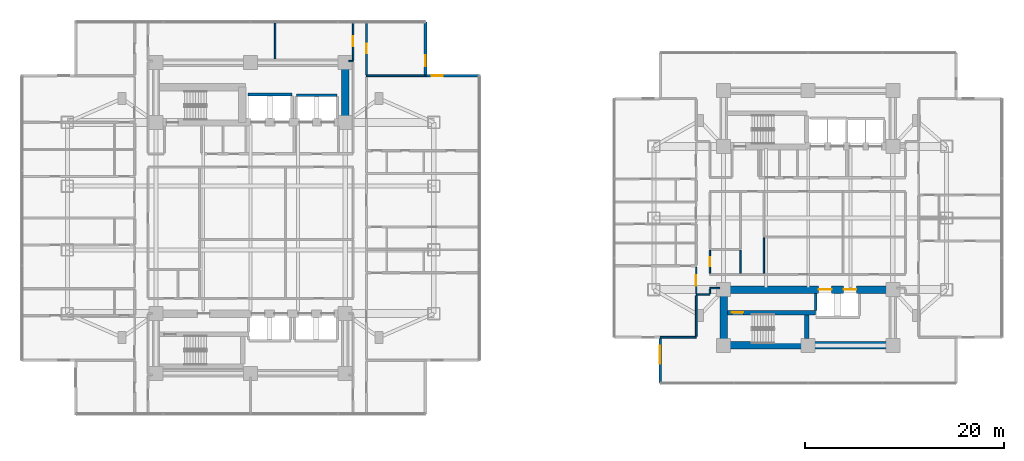
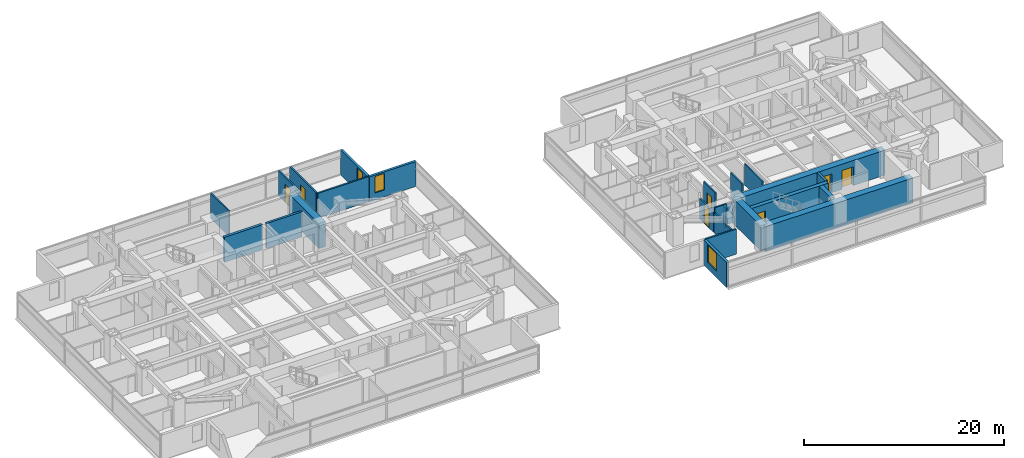
# One storey, part 18 of 26: 26 walls, 7 doors, 3 windows, 10 openings.
"""IFC4 building model written with IfcOpenShell, lengths in metres."""

from ifc_helpers import new_model, si_unit, direction, frame, frame_2d, origin, place, context, subcontext, project, spatial, rectangle, extrude, material, layer, layer_set, type_object, element, fill, save


model = new_model("IFC4")

# Units and contexts
model_context = context("Model", 3, precision=1e-05, world=origin(), true_north=direction((0.0, 1.0)))
body_context = subcontext(model_context, "Body", "Model", "MODEL_VIEW")
ifc_project = project(units=[si_unit("LENGTHUNIT", "METRE"), si_unit("AREAUNIT", "SQUARE_METRE"), si_unit("VOLUMEUNIT", "CUBIC_METRE"), si_unit("PLANEANGLEUNIT", "RADIAN"), si_unit("MASSUNIT", "GRAM", prefix="KILO")], contexts=[model_context])

# Site, building, storey
site_placement = place(None, origin())
site = spatial("IfcSite", under=ifc_project, at=site_placement, CompositionType="ELEMENT")
building_placement = place(site_placement, origin())
building = spatial("IfcBuilding", under=site, at=building_placement, Name="Mirazonda Arch Towers", CompositionType="ELEMENT")
storey_placement = place(building_placement, frame((0.0, 0.0, 45.5)))
storey = spatial("IfcBuildingStorey", under=building, at=storey_placement, Name="L12", CompositionType="ELEMENT", Elevation=45.5)

# Wall, opening, door
ifc_material_1 = material(Name="Concrete C50/60", Category="concrete")
ifc_layer_1 = layer(ifc_material_1, 0.449951171875, Name="WALL-CORE-450")
ifc_layer_set_1 = layer_set([ifc_layer_1], Name="Concrete C50/60")
wall_type_1 = type_object("IfcWallType", Name="WALL-CORE-450", PredefinedType="SHEAR", material=ifc_layer_set_1)
wall_1_placement = place(storey_placement, frame((68.3701171875, 18.5, 0.0), z_axis=(0.0, 0.0, 1.0), x_axis=(1.0, 0.0, 0.0)))
wall_1 = element("IfcWall", 1, at=wall_1_placement, inside=storey, type_object=wall_type_1, Name="L12 Stair Core Shear Wall 015", PredefinedType="SHEAR", context=body_context, shape_type="SweptSolid", body=[
    extrude(rectangle(XDim=8.849853515625, YDim=0.449951171875, at=frame_2d((4.4248046875, 0.0))), origin(), (0.0, 0.0, 1.0), 3.06005859375),
])
opening_1_placement = place(wall_1_placement, frame((0.469970703125, 0.0, 0.0)))
opening_1 = element("IfcOpeningElement", 2, at=opening_1_placement, cuts=wall_1, Name="Opening DR-135", PredefinedType="OPENING", context=body_context, shape_type="SweptSolid", body=[
    extrude(rectangle(XDim=1.14990234375, YDim=2.199951171875, at=frame_2d((0.574951171875, 1.10009765625))), frame((0.0, 0.23486328125, 0.0), z_axis=(0.0, -1.0, 0.0), x_axis=(1.0, 0.0, 0.0)), (0.0, 0.0, 1.0), 0.469970703125),
])
ifc_material_2 = material(Name="Architectural Brushed Steel S355", Category="steel")
door_type_1 = type_object("IfcDoorType", Name="DOOR-STAIR-FD90-1150", OperationType="NOTDEFINED", PredefinedType="DOOR", material=ifc_material_2)
door_1_placement = place(opening_1_placement, origin())
door_1 = element("IfcDoor", 3, at=door_1_placement, inside=storey, type_object=door_type_1, Name="L12 East Protected Stair South Door", OperationType="SINGLE_SWING_RIGHT", OverallHeight=2.199951171875, OverallWidth=1.14990234375, PredefinedType="DOOR", context=body_context, shape_type="SweptSolid", body=[
    extrude(rectangle(XDim=1.14990234375, YDim=2.199951171875, at=frame_2d((0.574951171875, 1.10009765625))), frame((0.0, 0.02490234375, 0.0), z_axis=(0.0, -1.0, 0.0), x_axis=(1.0, 0.0, 0.0)), (0.0, 0.0, 1.0), 0.050048828125),
])
fill(opening_1, door_1)

# Walls
wall_2_placement = place(storey_placement, frame((76.360107421875, 15.9150390625, 0.0), z_axis=(0.0, 0.0, 1.0), x_axis=(0.0, 1.0, 0.0)))
element("IfcWall", 4, at=wall_2_placement, inside=storey, type_object=wall_type_1, Name="L12 Stair Core Shear Wall 151", PredefinedType="SHEAR", context=body_context, shape_type="SweptSolid", body=[
    extrude(rectangle(XDim=2.349853515625, YDim=0.449951171875, at=frame_2d((1.1748046875, 0.0))), origin(), (0.0, 0.0, 1.0), 3.06005859375),
])
ifc_material_3 = material(Name="Concrete C60/75", Category="concrete")
ifc_layer_2 = layer(ifc_material_3, 0.75, Name="WALL-CORE-750")
ifc_layer_set_2 = layer_set([ifc_layer_2], Name="Concrete C60/75")
wall_type_2 = type_object("IfcWallType", Name="WALL-CORE-750", PredefinedType="SHEAR", material=ifc_layer_set_2)
wall_3_placement = place(storey_placement, frame((30.0, 37.60009765625, 0.0), z_axis=(0.0, 0.0, 1.0), x_axis=(0.0, 1.0, 0.0)))
element("IfcWall", 5, at=wall_3_placement, inside=storey, type_object=wall_type_2, Name="L12 T1N-E Core Shear Wall", PredefinedType="SHEAR", context=body_context, shape_type="SweptSolid", body=[
    extrude(rectangle(XDim=6.0, YDim=0.75, at=frame_2d((3.0, 0.0))), origin(), (0.0, 0.0, 1.0), 3.06005859375),
])
wall_4_placement = place(storey_placement, frame((68.0, 15.199951171875, 0.0), z_axis=(0.0, 0.0, 1.0), x_axis=(1.0, 0.0, 0.0)))
element("IfcWall", 6, at=wall_4_placement, inside=storey, type_object=wall_type_2, Name="L12 T2S-S Core Shear Wall", PredefinedType="SHEAR", context=body_context, shape_type="SweptSolid", body=[
    extrude(rectangle(XDim=17.0, YDim=0.75, at=frame_2d((8.5, 0.0))), origin(), (0.0, 0.0, 1.0), 3.06005859375),
])
wall_5_placement = place(storey_placement, frame((68.0, 15.199951171875, 0.0), z_axis=(0.0, 0.0, 1.0), x_axis=(0.0, 1.0, 0.0)))
element("IfcWall", 7, at=wall_5_placement, inside=storey, type_object=wall_type_2, Name="L12 T2S-W Core Shear Wall", PredefinedType="SHEAR", context=body_context, shape_type="SweptSolid", body=[
    extrude(rectangle(XDim=5.60009765625, YDim=0.75, at=frame_2d((2.800048828125, 0.0))), origin(), (0.0, 0.0, 1.0), 3.06005859375),
])

# Wall, openings, doors
wall_6_placement = place(storey_placement, frame((68.0, 20.800048828125, 0.0), z_axis=(0.0, 0.0, 1.0), x_axis=(1.0, 0.0, 0.0)))
wall_6 = element("IfcWall", 8, at=wall_6_placement, inside=storey, type_object=wall_type_2, Name="L12 T2S-N Core Shear Wall", PredefinedType="SHEAR", context=body_context, shape_type="SweptSolid", body=[
    extrude(rectangle(XDim=17.0, YDim=0.75, at=frame_2d((8.5, 0.0))), origin(), (0.0, 0.0, 1.0), 3.06005859375),
])
opening_2_placement = place(wall_6_placement, frame((9.550048828125, 0.0, 0.0)))
opening_2 = element("IfcOpeningElement", 9, at=opening_2_placement, cuts=wall_6, Name="Opening LD-111", PredefinedType="OPENING", context=body_context, shape_type="SweptSolid", body=[
    extrude(rectangle(XDim=1.300048828125, YDim=2.300048828125, at=frame_2d((0.64990234375, 1.14990234375))), frame((0.0, 0.385009765625, 0.0), z_axis=(0.0, -1.0, 0.0), x_axis=(1.0, 0.0, 0.0)), (0.0, 0.0, 1.0), 0.77001953125),
])
opening_3_placement = place(wall_6_placement, frame((12.050048828125, 0.0, 0.0)))
opening_3 = element("IfcOpeningElement", 10, at=opening_3_placement, cuts=wall_6, Name="Opening LD-111", PredefinedType="OPENING", context=body_context, shape_type="SweptSolid", body=[
    extrude(rectangle(XDim=1.300048828125, YDim=2.300048828125, at=frame_2d((0.64990234375, 1.14990234375))), frame((0.0, 0.385009765625, 0.0), z_axis=(0.0, -1.0, 0.0), x_axis=(1.0, 0.0, 0.0)), (0.0, 0.0, 1.0), 0.77001953125),
])
door_type_2 = type_object("IfcDoorType", Name="DOOR-LIFT-LAND-1300", OperationType="NOTDEFINED", PredefinedType="DOOR", material=ifc_material_2)
door_2_placement = place(opening_2_placement, origin())
door_2 = element("IfcDoor", 11, at=door_2_placement, inside=storey, type_object=door_type_2, Name="L12 Lift Landing Sliding Door PL-T2H1", OperationType="DOUBLE_DOOR_SLIDING", OverallHeight=2.300048828125, OverallWidth=1.300048828125, PredefinedType="DOOR", context=body_context, shape_type="SweptSolid", body=[
    extrude(rectangle(XDim=1.300048828125, YDim=2.300048828125, at=frame_2d((0.64990234375, 1.14990234375))), frame((0.0, 0.02490234375, 0.0), z_axis=(0.0, -1.0, 0.0), x_axis=(1.0, 0.0, 0.0)), (0.0, 0.0, 1.0), 0.050048828125),
])
fill(opening_2, door_2)
door_3_placement = place(opening_3_placement, origin())
door_3 = element("IfcDoor", 12, at=door_3_placement, inside=storey, type_object=door_type_2, Name="L12 Lift Landing Sliding Door PL-T2H2", OperationType="DOUBLE_DOOR_SLIDING", OverallHeight=2.300048828125, OverallWidth=1.300048828125, PredefinedType="DOOR", context=body_context, shape_type="SweptSolid", body=[
    extrude(rectangle(XDim=1.300048828125, YDim=2.300048828125, at=frame_2d((0.64990234375, 1.14990234375))), frame((0.0, 0.02490234375, 0.0), z_axis=(0.0, -1.0, 0.0), x_axis=(1.0, 0.0, 0.0)), (0.0, 0.0, 1.0), 0.050048828125),
])
fill(opening_3, door_3)

# Wall, opening, window
ifc_material_4 = material(Name="Precast Concrete C40/50", Category="concrete")
ifc_layer_3 = layer(ifc_material_4, 0.280029296875, Name="WALL-EXT-WALL-280")
ifc_layer_set_3 = layer_set([ifc_layer_3], Name="Precast Concrete C40/50")
wall_type_3 = type_object("IfcWallType", Name="WALL-EXT-WALL-280", PredefinedType="SOLIDWALL", material=ifc_layer_set_3)
wall_7_placement = place(storey_placement, frame((38.06005859375, 42.285888671875, 0.0), z_axis=(0.0, 0.0, 1.0), x_axis=(0.0, 1.0, 0.0)))
wall_7 = element("IfcWall", 13, at=wall_7_placement, inside=storey, type_object=wall_type_3, Name="L12 T1 Notched NE Corner Wall WL-L12-T1-CNE", PredefinedType="SOLIDWALL", context=body_context, shape_type="SweptSolid", body=[
    extrude(rectangle(XDim=5.380126953125, YDim=0.280029296875, at=frame_2d((2.68994140625, 0.0))), origin(), (0.0, 0.0, 1.0), 3.0400390625),
])
opening_4_placement = place(wall_7_placement, frame((0.949951171875, 0.0, 0.85009765625)))
opening_4 = element("IfcOpeningElement", 14, at=opening_4_placement, cuts=wall_7, Name="Opening WN-108", PredefinedType="OPENING", context=body_context, shape_type="SweptSolid", body=[
    extrude(rectangle(XDim=1.10009765625, YDim=2.0, at=frame_2d((0.550048828125, 1.0))), frame((0.0, 0.14990234375, 0.0), z_axis=(0.0, -1.0, 0.0), x_axis=(1.0, 0.0, 0.0)), (0.0, 0.0, 1.0), 0.300048828125),
])
ifc_material_5 = material(Name="Insulated Low-E Solar Glass", Category="glass")
window_type_1 = type_object("IfcWindowType", Name="WIN-NOTCH-1100x2000", PartitioningType="SINGLE_PANEL", PredefinedType="WINDOW", material=ifc_material_5)
window_1_placement = place(opening_4_placement, origin())
window_1 = element("IfcWindow", 15, at=window_1_placement, inside=storey, type_object=window_type_1, Name="L12 Punched Facade Window WN-L12-T1-CNE", OverallHeight=2.0, OverallWidth=1.10009765625, PartitioningType="SINGLE_PANEL", PredefinedType="WINDOW", context=body_context, shape_type="SweptSolid", body=[
    extrude(rectangle(XDim=1.10009765625, YDim=2.0, at=frame_2d((0.550048828125, 1.0))), frame((0.0, 0.030029296875, 0.0), z_axis=(0.0, -1.0, 0.0), x_axis=(1.0, 0.0, 0.0)), (0.0, 0.0, 1.0), 0.06005859375),
])
fill(opening_4, window_1)

wall_8_placement = place(storey_placement, frame((43.43994140625, 42.285888671875, 0.0), z_axis=(0.0, 0.0, 1.0), x_axis=(-1.0, 0.0, 0.0)))
wall_8 = element("IfcWall", 16, at=wall_8_placement, inside=storey, type_object=wall_type_3, Name="L12 T1 Corner Notch Return Wall WL-L12-T1-CNE2", PredefinedType="SOLIDWALL", context=body_context, shape_type="SweptSolid", body=[
    extrude(rectangle(XDim=5.3798828125, YDim=0.280029296875, at=frame_2d((2.68994140625, 0.0))), origin(), (0.0, 0.0, 1.0), 3.0400390625),
])
opening_5_placement = place(wall_8_placement, frame((3.6298828125, 0.0, 0.85009765625)))
opening_5 = element("IfcOpeningElement", 17, at=opening_5_placement, cuts=wall_8, Name="Opening WN-108", PredefinedType="OPENING", context=body_context, shape_type="SweptSolid", body=[
    extrude(rectangle(XDim=1.10009765625, YDim=2.0, at=frame_2d((0.550048828125, 1.0))), frame((0.0, 0.14990234375, 0.0), z_axis=(0.0, -1.0, 0.0), x_axis=(1.0, 0.0, 0.0)), (0.0, 0.0, 1.0), 0.300048828125),
])
window_2_placement = place(opening_5_placement, origin())
window_2 = element("IfcWindow", 18, at=window_2_placement, inside=storey, type_object=window_type_1, Name="L12 Punched Facade Window WN-L12-T1-CNE2", OverallHeight=2.0, OverallWidth=1.10009765625, PartitioningType="SINGLE_PANEL", PredefinedType="WINDOW", context=body_context, shape_type="SweptSolid", body=[
    extrude(rectangle(XDim=1.10009765625, YDim=2.0, at=frame_2d((0.550048828125, 1.0))), frame((0.0, 0.030029296875, 0.0), z_axis=(0.0, -1.0, 0.0), x_axis=(1.0, 0.0, 0.0)), (0.0, 0.0, 1.0), 0.06005859375),
])
fill(opening_5, window_2)

wall_9_placement = place(storey_placement, frame((61.634033203125, 16.016845703125, 0.0), z_axis=(0.0, 0.0, 1.0), x_axis=(0.0, -1.0, 0.0)))
wall_9 = element("IfcWall", 19, at=wall_9_placement, inside=storey, type_object=wall_type_3, Name="L12 T2 Notched SW Corner Wall WL-L12-T2-CSW", PredefinedType="SOLIDWALL", context=body_context, shape_type="SweptSolid", body=[
    extrude(rectangle(XDim=4.579833984375, YDim=0.280029296875, at=frame_2d((2.2900390625, 0.0))), origin(), (0.0, 0.0, 1.0), 3.0400390625),
])
opening_6_placement = place(wall_9_placement, frame((0.85009765625, 0.0, 0.7900390625)))
opening_6 = element("IfcOpeningElement", 20, at=opening_6_placement, cuts=wall_9, Name="Opening WN-116", PredefinedType="OPENING", context=body_context, shape_type="SweptSolid", body=[
    extrude(rectangle(XDim=1.800048828125, YDim=2.10009765625, at=frame_2d((0.89990234375, 1.050048828125))), frame((0.0, 0.14990234375, 0.0), z_axis=(0.0, -1.0, 0.0), x_axis=(1.0, 0.0, 0.0)), (0.0, 0.0, 1.0), 0.300048828125),
])
window_type_2 = type_object("IfcWindowType", Name="WIN-HTL-1800x2100", PartitioningType="SINGLE_PANEL", PredefinedType="WINDOW", material=ifc_material_5)
window_3_placement = place(opening_6_placement, origin())
window_3 = element("IfcWindow", 21, at=window_3_placement, inside=storey, type_object=window_type_2, Name="L12 Punched Facade Window WN-L12-T2-CSW", OverallHeight=2.10009765625, OverallWidth=1.800048828125, PartitioningType="SINGLE_PANEL", PredefinedType="WINDOW", context=body_context, shape_type="SweptSolid", body=[
    extrude(rectangle(XDim=1.800048828125, YDim=2.10009765625, at=frame_2d((0.89990234375, 1.050048828125))), frame((0.0, 0.030029296875, 0.0), z_axis=(0.0, -1.0, 0.0), x_axis=(1.0, 0.0, 0.0)), (0.0, 0.0, 1.0), 0.06005859375),
])
fill(opening_6, window_3)

# Walls
ifc_material_6 = material(Name="Fire-Rated Gypsum Stud Partition")
ifc_layer_4 = layer(ifc_material_6, 0.14990234375, Name="WALL-PART-CORR-150")
ifc_layer_set_4 = layer_set([ifc_layer_4], Name="Fire-Rated Gypsum Stud Partition")
wall_type_4 = type_object("IfcWallType", Name="WALL-PART-CORR-150", PredefinedType="PARTITIONING", material=ifc_layer_set_4)
wall_10_placement = place(storey_placement, frame((65.25, 20.300048828125, 0.0), z_axis=(0.0, 0.0, 1.0), x_axis=(1.0, 0.0, 0.0)))
element("IfcWall", 22, at=wall_10_placement, inside=storey, type_object=wall_type_4, Name="L12 Interior Partition 017", PredefinedType="PARTITIONING", context=body_context, shape_type="SweptSolid", body=[
    extrude(rectangle(XDim=1.3701171875, YDim=0.14990234375, at=frame_2d((0.68505859375, 0.0))), origin(), (0.0, 0.0, 1.0), 3.06005859375),
])
wall_11_placement = place(storey_placement, frame((66.6201171875, 20.949951171875, 0.0), z_axis=(0.0, 0.0, 1.0), x_axis=(1.0, 0.0, 0.0)))
element("IfcWall", 23, at=wall_11_placement, inside=storey, type_object=wall_type_4, Name="L12 Interior Partition 020", PredefinedType="PARTITIONING", context=body_context, shape_type="SweptSolid", body=[
    extrude(rectangle(XDim=1.009765625, YDim=0.14990234375, at=frame_2d((0.5048828125, 0.0))), origin(), (0.0, 0.0, 1.0), 2.451904296875),
])
wall_12_placement = place(storey_placement, frame((30.3701171875, 43.75, 0.0), z_axis=(0.0, 0.0, 1.0), x_axis=(1.0, 0.0, 0.0)))
element("IfcWall", 24, at=wall_12_placement, inside=storey, type_object=wall_type_4, Name="L12 Interior Partition 064", PredefinedType="PARTITIONING", context=body_context, shape_type="SweptSolid", body=[
    extrude(rectangle(XDim=0.429931640625, YDim=0.14990234375, at=frame_2d((0.21484375, 0.0))), origin(), (0.0, 0.0, 1.0), 3.06005859375),
])
wall_13_placement = place(storey_placement, frame((22.971923828125, 43.969970703125, 0.0), z_axis=(0.0, 0.0, 1.0), x_axis=(0.0, 1.0, 0.0)))
element("IfcWall", 25, at=wall_13_placement, inside=storey, type_object=wall_type_4, Name="L12 Interior Partition 097", PredefinedType="PARTITIONING", context=body_context, shape_type="SweptSolid", body=[
    extrude(rectangle(XDim=3.696044921875, YDim=0.14990234375, at=frame_2d((1.84814453125, 0.0))), origin(), (0.0, 0.0, 1.0), 3.06005859375),
])

# Wall, opening, door
wall_14_placement = place(storey_placement, frame((30.800048828125, 43.8349609375, 0.0), z_axis=(0.0, 0.0, 1.0), x_axis=(0.0, 1.0, 0.0)))
wall_14 = element("IfcWall", 26, at=wall_14_placement, inside=storey, type_object=wall_type_4, Name="L12 Interior Partition 113", PredefinedType="PARTITIONING", context=body_context, shape_type="SweptSolid", body=[
    extrude(rectangle(XDim=3.8310546875, YDim=0.14990234375, at=frame_2d((1.91552734375, 0.0))), origin(), (0.0, 0.0, 1.0), 3.06005859375),
])
opening_7_placement = place(wall_14_placement, frame((1.390380859375, 0.0, 0.0)))
opening_7 = element("IfcOpeningElement", 27, at=opening_7_placement, cuts=wall_14, Name="Opening DR-121", PredefinedType="OPENING", context=body_context, shape_type="SweptSolid", body=[
    extrude(rectangle(XDim=1.050048828125, YDim=2.199951171875, at=frame_2d((0.52490234375, 1.10009765625))), frame((0.0, 0.0849609375, 0.0), z_axis=(0.0, -1.0, 0.0), x_axis=(1.0, 0.0, 0.0)), (0.0, 0.0, 1.0), 0.169921875),
])
door_type_3 = type_object("IfcDoorType", Name="DOOR-SUITE-FD60-1050", OperationType="NOTDEFINED", PredefinedType="DOOR", material=ifc_material_2)
door_4_placement = place(opening_7_placement, origin())
door_4 = element("IfcDoor", 28, at=door_4_placement, inside=storey, type_object=door_type_3, Name="L12 North Bay Sunroom East Door", OperationType="SINGLE_SWING_RIGHT", OverallHeight=2.199951171875, OverallWidth=1.050048828125, PredefinedType="DOOR", context=body_context, shape_type="SweptSolid", body=[
    extrude(rectangle(XDim=1.050048828125, YDim=2.199951171875, at=frame_2d((0.52490234375, 1.10009765625))), frame((0.0, 0.02490234375, 0.0), z_axis=(0.0, -1.0, 0.0), x_axis=(1.0, 0.0, 0.0)), (0.0, 0.0, 1.0), 0.050048828125),
])
fill(opening_7, door_4)

# Wall
wall_15_placement = place(storey_placement, frame((66.6201171875, 20.385009765625, 0.0), z_axis=(0.0, 0.0, 1.0), x_axis=(0.0, 1.0, 0.0)))
element("IfcWall", 29, at=wall_15_placement, inside=storey, type_object=wall_type_4, Name="L12 Interior Partition 138", PredefinedType="PARTITIONING", context=body_context, shape_type="SweptSolid", body=[
    extrude(rectangle(XDim=0.47998046875, YDim=0.14990234375, at=frame_2d((0.239990234375, 0.0))), origin(), (0.0, 0.0, 1.0), 2.451904296875),
])

# Wall, opening, door
wall_16_placement = place(storey_placement, frame((66.6201171875, 22.43505859375, 0.0), z_axis=(0.0, 0.0, 1.0), x_axis=(0.0, 1.0, 0.0)))
wall_16 = element("IfcWall", 30, at=wall_16_placement, inside=storey, type_object=wall_type_4, Name="L12 Interior Partition 139", PredefinedType="PARTITIONING", context=body_context, shape_type="SweptSolid", body=[
    extrude(rectangle(XDim=2.329833984375, YDim=0.14990234375, at=frame_2d((1.1650390625, 0.0))), origin(), (0.0, 0.0, 1.0), 3.06005859375),
])
opening_8_placement = place(wall_16_placement, frame((0.715087890625, 0.0, 0.0)))
opening_8 = element("IfcOpeningElement", 31, at=opening_8_placement, cuts=wall_16, Name="Opening DR-120", PredefinedType="OPENING", context=body_context, shape_type="SweptSolid", body=[
    extrude(rectangle(XDim=0.89990234375, YDim=2.10009765625, at=frame_2d((0.449951171875, 1.050048828125))), frame((0.0, 0.0849609375, 0.0), z_axis=(0.0, -1.0, 0.0), x_axis=(1.0, 0.0, 0.0)), (0.0, 0.0, 1.0), 0.169921875),
])
door_type_4 = type_object("IfcDoorType", Name="DOOR-WC-900", OperationType="NOTDEFINED", PredefinedType="DOOR", material=ifc_material_2)
door_5_placement = place(opening_8_placement, origin())
door_5 = element("IfcDoor", 32, at=door_5_placement, inside=storey, type_object=door_type_4, Name="L12 Tower 2 Common Accessible WC Door", OperationType="SINGLE_SWING_LEFT", OverallHeight=2.10009765625, OverallWidth=0.89990234375, PredefinedType="DOOR", context=body_context, shape_type="SweptSolid", body=[
    extrude(rectangle(XDim=0.89990234375, YDim=2.10009765625, at=frame_2d((0.449951171875, 1.050048828125))), frame((0.0, 0.02490234375, 0.0), z_axis=(0.0, -1.0, 0.0), x_axis=(1.0, 0.0, 0.0)), (0.0, 0.0, 1.0), 0.050048828125),
])
fill(opening_8, door_5)

# Walls
wall_17_placement = place(storey_placement, frame((69.723388671875, 22.43505859375, 0.0), z_axis=(0.0, 0.0, 1.0), x_axis=(0.0, 1.0, 0.0)))
element("IfcWall", 33, at=wall_17_placement, inside=storey, type_object=wall_type_4, Name="L12 Interior Partition 143", PredefinedType="PARTITIONING", context=body_context, shape_type="SweptSolid", body=[
    extrude(rectangle(XDim=2.329833984375, YDim=0.14990234375, at=frame_2d((1.1650390625, 0.0))), origin(), (0.0, 0.0, 1.0), 3.06005859375),
])
wall_18_placement = place(storey_placement, frame((72.050048828125, 22.43505859375, 0.0), z_axis=(0.0, 0.0, 1.0), x_axis=(0.0, 1.0, 0.0)))
element("IfcWall", 34, at=wall_18_placement, inside=storey, type_object=wall_type_4, Name="L12 Interior Partition 147", PredefinedType="PARTITIONING", context=body_context, shape_type="SweptSolid", body=[
    extrude(rectangle(XDim=3.56494140625, YDim=0.14990234375, at=frame_2d((1.782470703125, 0.0))), origin(), (0.0, 0.0, 1.0), 2.589111328125),
])
ifc_material_7 = material(Name="Fire-Rated Gypsum Twin-Stud Assembly")
ifc_layer_5 = layer(ifc_material_7, 0.179931640625, Name="WALL-PART-DEMISE-180")
ifc_layer_set_5 = layer_set([ifc_layer_5], Name="Fire-Rated Gypsum Twin-Stud Assembly")
wall_type_5 = type_object("IfcWallType", Name="WALL-PART-DEMISE-180", PredefinedType="PARTITIONING", material=ifc_layer_set_5)
wall_19_placement = place(storey_placement, frame((61.654052734375, 16.01708984375, 0.0), z_axis=(0.0, 0.0, 1.0), x_axis=(1.0, 0.0, 0.0)))
element("IfcWall", 35, at=wall_19_placement, inside=storey, type_object=wall_type_5, Name="L12 Interior Partition 008", PredefinedType="PARTITIONING", context=body_context, shape_type="SweptSolid", body=[
    extrude(rectangle(XDim=3.595947265625, YDim=0.179931640625, at=frame_2d((1.7978515625, 0.0))), origin(), (0.0, 0.0, 1.0), 3.06005859375),
])
wall_20_placement = place(storey_placement, frame((32.139892578125, 42.285888671875, 0.0), z_axis=(0.0, 0.0, 1.0), x_axis=(1.0, 0.0, 0.0)))
element("IfcWall", 36, at=wall_20_placement, inside=storey, type_object=wall_type_5, Name="L12 Interior Partition 062", PredefinedType="PARTITIONING", context=body_context, shape_type="SweptSolid", body=[
    extrude(rectangle(XDim=5.900146484375, YDim=0.179931640625, at=frame_2d((2.9501953125, 0.0))), origin(), (0.0, 0.0, 1.0), 3.06005859375),
])

# Wall, opening, door
wall_21_placement = place(storey_placement, frame((32.139892578125, 42.385986328125, 0.0), z_axis=(0.0, 0.0, 1.0), x_axis=(0.0, 1.0, 0.0)))
wall_21 = element("IfcWall", 37, at=wall_21_placement, inside=storey, type_object=wall_type_5, Name="L12 Interior Partition 121", PredefinedType="PARTITIONING", context=body_context, shape_type="SweptSolid", body=[
    extrude(rectangle(XDim=5.280029296875, YDim=0.179931640625, at=frame_2d((2.64013671875, 0.0))), origin(), (0.0, 0.0, 1.0), 3.06005859375),
])
opening_9_placement = place(wall_21_placement, frame((2.1650390625, 0.0, 0.0)))
opening_9 = element("IfcOpeningElement", 38, at=opening_9_placement, cuts=wall_21, Name="Opening DR-104", PredefinedType="OPENING", context=body_context, shape_type="SweptSolid", body=[
    extrude(rectangle(XDim=0.949951171875, YDim=2.14990234375, at=frame_2d((0.47509765625, 1.074951171875))), frame((0.0, 0.099853515625, 0.0), z_axis=(0.0, -1.0, 0.0), x_axis=(1.0, 0.0, 0.0)), (0.0, 0.0, 1.0), 0.199951171875),
])
door_type_5 = type_object("IfcDoorType", Name="DOOR-ROOM-950", OperationType="NOTDEFINED", PredefinedType="DOOR", material=ifc_material_2)
door_6_placement = place(opening_9_placement, origin())
door_6 = element("IfcDoor", 39, at=door_6_placement, inside=storey, type_object=door_type_5, Name="L12 North Bay Sunroom Alcove East Door", OperationType="SINGLE_SWING_RIGHT", OverallHeight=2.14990234375, OverallWidth=0.949951171875, PredefinedType="DOOR", context=body_context, shape_type="SweptSolid", body=[
    extrude(rectangle(XDim=0.949951171875, YDim=2.14990234375, at=frame_2d((0.47509765625, 1.074951171875))), frame((0.0, 0.02490234375, 0.0), z_axis=(0.0, -1.0, 0.0), x_axis=(1.0, 0.0, 0.0)), (0.0, 0.0, 1.0), 0.050048828125),
])
fill(opening_9, door_6)

# Wall
wall_22_placement = place(storey_placement, frame((65.25, 16.116943359375, 0.0), z_axis=(0.0, 0.0, 1.0), x_axis=(0.0, 1.0, 0.0)))
element("IfcWall", 40, at=wall_22_placement, inside=storey, type_object=wall_type_5, Name="L12 Interior Partition 130", PredefinedType="PARTITIONING", context=body_context, shape_type="SweptSolid", body=[
    extrude(rectangle(XDim=4.09814453125, YDim=0.179931640625, at=frame_2d((2.049072265625, 0.0))), origin(), (0.0, 0.0, 1.0), 2.43603515625),
])

# Wall, opening, door
wall_23_placement = place(storey_placement, frame((65.25, 20.385009765625, 0.0), z_axis=(0.0, 0.0, 1.0), x_axis=(0.0, 1.0, 0.0)))
wall_23 = element("IfcWall", 41, at=wall_23_placement, inside=storey, type_object=wall_type_5, Name="L12 Interior Partition 131", PredefinedType="PARTITIONING", context=body_context, shape_type="SweptSolid", body=[
    extrude(rectangle(XDim=2.70703125, YDim=0.179931640625, at=frame_2d((1.353515625, 0.0))), origin(), (0.0, 0.0, 1.0), 2.451904296875),
])
opening_10_placement = place(wall_23_placement, frame((0.82861328125, 0.0, 0.0)))
opening_10 = element("IfcOpeningElement", 42, at=opening_10_placement, cuts=wall_23, Name="Opening DR-121", PredefinedType="OPENING", context=body_context, shape_type="SweptSolid", body=[
    extrude(rectangle(XDim=1.050048828125, YDim=2.199951171875, at=frame_2d((0.52490234375, 1.10009765625))), frame((0.0, 0.099853515625, 0.0), z_axis=(0.0, -1.0, 0.0), x_axis=(1.0, 0.0, 0.0)), (0.0, 0.0, 1.0), 0.199951171875),
])
door_7_placement = place(opening_10_placement, origin())
door_7 = element("IfcDoor", 43, at=door_7_placement, inside=storey, type_object=door_type_3, Name="L12 King Hotel Guestroom 1 Door", OperationType="SINGLE_SWING_RIGHT", OverallHeight=2.199951171875, OverallWidth=1.050048828125, PredefinedType="DOOR", context=body_context, shape_type="SweptSolid", body=[
    extrude(rectangle(XDim=1.050048828125, YDim=2.199951171875, at=frame_2d((0.52490234375, 1.10009765625))), frame((0.0, 0.02490234375, 0.0), z_axis=(0.0, -1.0, 0.0), x_axis=(1.0, 0.0, 0.0)), (0.0, 0.0, 1.0), 0.050048828125),
])
fill(opening_10, door_7)

# Walls
ifc_material_8 = material(Name="Concrete C40/50", Category="concrete")
ifc_layer_6 = layer(ifc_material_8, 0.25, Name="WALL-SHAFT-250")
ifc_layer_set_6 = layer_set([ifc_layer_6], Name="Concrete C40/50")
wall_type_6 = type_object("IfcWallType", Name="WALL-SHAFT-250", PredefinedType="SOLIDWALL", material=ifc_layer_set_6)
wall_24_placement = place(storey_placement, frame((25.10009765625, 40.35009765625, 0.0), z_axis=(0.0, 0.0, 1.0), x_axis=(1.0, 0.0, 0.0)))
element("IfcWall", 44, at=wall_24_placement, inside=storey, type_object=wall_type_6, Name="L12 Interior Partition 059", PredefinedType="SOLIDWALL", context=body_context, shape_type="SweptSolid", body=[
    extrude(rectangle(XDim=4.099853515625, YDim=0.25, at=frame_2d((2.0498046875, 0.0))), origin(), (0.0, 0.0, 1.0), 3.06005859375),
])
wall_25_placement = place(storey_placement, frame((77.260009765625, 18.735107421875, 0.0), z_axis=(0.0, 0.0, 1.0), x_axis=(0.0, 1.0, 0.0)))
element("IfcWall", 45, at=wall_25_placement, inside=storey, type_object=wall_type_6, Name="L12 Interior Partition 153", PredefinedType="SOLIDWALL", context=body_context, shape_type="SweptSolid", body=[
    extrude(rectangle(XDim=1.69482421875, YDim=0.25, at=frame_2d((0.847412109375, 0.0))), origin(), (0.0, 0.0, 1.0), 3.06005859375),
])
ifc_layer_7 = layer(ifc_material_1, 0.300048828125, Name="WALL-SHAFT-300")
ifc_layer_set_7 = layer_set([ifc_layer_7], Name="Concrete C50/60")
wall_type_7 = type_object("IfcWallType", Name="WALL-SHAFT-300", PredefinedType="SOLIDWALL", material=ifc_layer_set_7)
wall_26_placement = place(storey_placement, frame((20.25, 40.39990234375, 0.0), z_axis=(0.0, 0.0, 1.0), x_axis=(1.0, 0.0, 0.0)))
element("IfcWall", 46, at=wall_26_placement, inside=storey, type_object=wall_type_7, Name="L12 Interior Partition 060", PredefinedType="SOLIDWALL", context=body_context, shape_type="SweptSolid", body=[
    extrude(rectangle(XDim=4.39990234375, YDim=0.300048828125, at=frame_2d((2.199951171875, 0.0))), origin(), (0.0, 0.0, 1.0), 3.06005859375),
])

save(model, "model.ifc")
